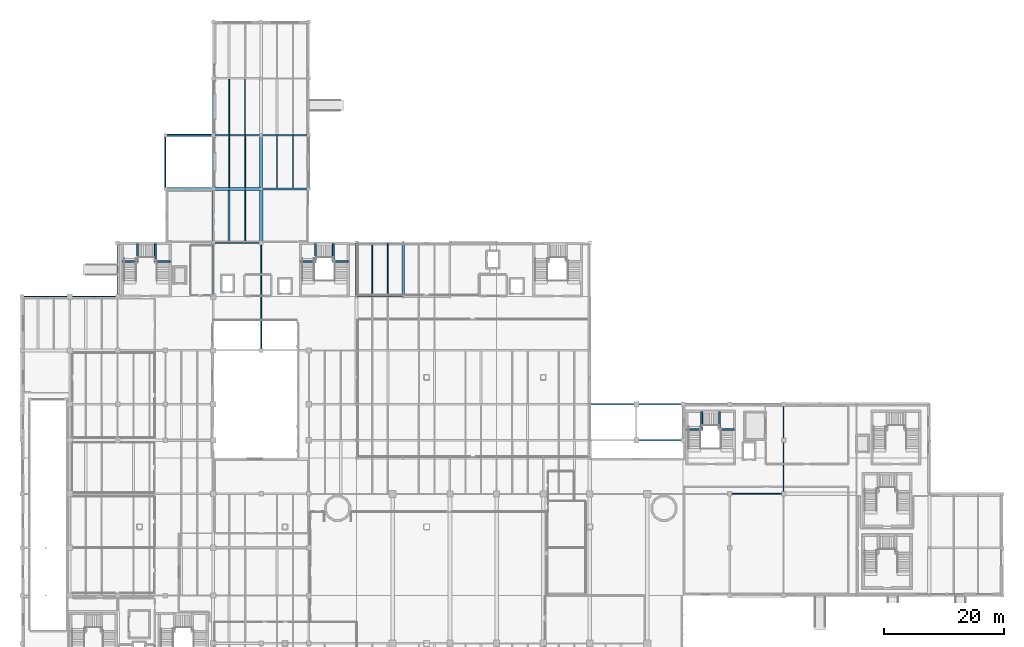
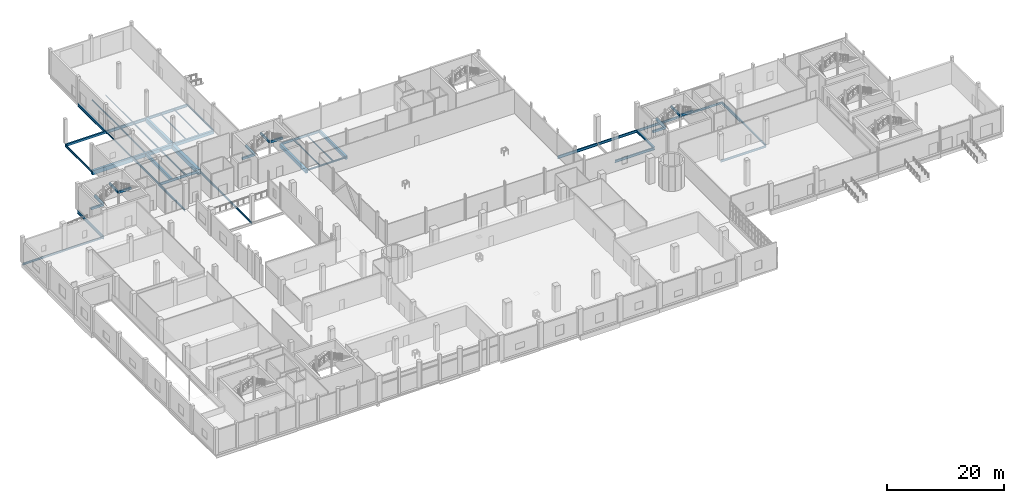
# One storey, part 27 of 57: 54 beams.
"""IFC4 building model written with IfcOpenShell, lengths in metres."""

from ifc_helpers import new_model, si_unit, derived_unit, direction, frame, origin, origin_2d, place, context, subcontext, project, spatial, rectangle, i_section, extrude, material, material_profile, profile_set, type_object, element, save


model = new_model("IFC4")

# Units and contexts
model_context = context("Model", 3, precision=1e-05, world=origin(), true_north=direction((0.0, 1.0)))
body_context = subcontext(model_context, "Body", "Model", "MODEL_VIEW")
ifc_project = project(units=[si_unit("LENGTHUNIT", "METRE"), si_unit("AREAUNIT", "SQUARE_METRE"), si_unit("VOLUMEUNIT", "CUBIC_METRE"), si_unit("PLANEANGLEUNIT", "RADIAN"), si_unit("MASSUNIT", "GRAM", prefix="KILO"), derived_unit("THERMALTRANSMITTANCEUNIT", [(si_unit("POWERUNIT", "WATT"), 1), (si_unit("LENGTHUNIT", "METRE"), -2), (si_unit("THERMODYNAMICTEMPERATUREUNIT", "KELVIN"), -1)])], contexts=[model_context])

# Site, building, storey
site_placement = place(None, origin())
site = spatial("IfcSite", under=ifc_project, at=site_placement, CompositionType="ELEMENT")
building_placement = place(site_placement, origin())
building = spatial("IfcBuilding", under=site, at=building_placement, Name="Nallur Shell Playhouse", CompositionType="ELEMENT")
storey_placement = place(building_placement, origin())
storey = spatial("IfcBuildingStorey", under=building, at=storey_placement, Name="L01", CompositionType="ELEMENT", Elevation=0.0)

# Beams
ifc_material_1 = material(Name="Steel E250", Category="steel")
ifc_material_profile_1 = material_profile(ifc_material_1, i_section(OverallWidth=0.110107421875, OverallDepth=0.22509765625, WebThickness=0.006591796875, FlangeThickness=0.01171875, FilletRadius=0.011962890625, at=origin_2d()), Name="ISMB 225")
ifc_profile_set_1 = profile_set([ifc_material_profile_1], Name="Steel E250")
beam_type_1 = type_object("IfcBeamType", Name="BM-JST-ISMB225", PredefinedType="JOIST", material=ifc_profile_set_1)
beam_1_placement = place(storey_placement, frame((45.333251953125, 101.123046875, -0.4326171875), z_axis=(0.0, 1.0, 0.0), x_axis=(-1.0, 0.0, 0.0)))
element("IfcBeam", 1, at=beam_1_placement, inside=storey, type_object=beam_type_1, Name="L01 secondary joist 5-M-233", PredefinedType="JOIST", context=body_context, shape_type="SweptSolid", body=[
    extrude(i_section(OverallWidth=0.110107421875, OverallDepth=0.22509765625, WebThickness=0.006591796875, FlangeThickness=0.01171875, FilletRadius=0.011962890625, at=origin_2d()), origin(), (0.0, 0.0, 1.0), 9.25390625),
])
beam_2_placement = place(storey_placement, frame((53.333251953125, 92.197998046875, -0.4326171875), z_axis=(0.0, 1.0, 0.0), x_axis=(-1.0, 0.0, 0.0)))
element("IfcBeam", 2, at=beam_2_placement, inside=storey, type_object=beam_type_1, Name="L01 secondary joist 6-L-245", PredefinedType="JOIST", context=body_context, shape_type="SweptSolid", body=[
    extrude(i_section(OverallWidth=0.110107421875, OverallDepth=0.22509765625, WebThickness=0.006591796875, FlangeThickness=0.01171875, FilletRadius=0.011962890625, at=origin_2d()), origin(), (0.0, 0.0, 1.0), 8.678955078125),
])
ifc_material_profile_2 = material_profile(ifc_material_1, i_section(OverallWidth=0.125, OverallDepth=0.25, WebThickness=0.0068359375, FlangeThickness=0.012451171875, FilletRadius=0.012939453125, at=origin_2d()), Name="ISMB 250")
ifc_profile_set_2 = profile_set([ifc_material_profile_2], Name="Steel E250")
beam_type_2 = type_object("IfcBeamType", Name="BM-JST-ISMB250", PredefinedType="JOIST", material=ifc_profile_set_2)
beam_3_placement = place(storey_placement, frame((42.666748046875, 101.123046875, -0.445068359375), z_axis=(0.0, 1.0, 0.0), x_axis=(-1.0, 0.0, 0.0)))
element("IfcBeam", 3, at=beam_3_placement, inside=storey, type_object=beam_type_2, Name="L01 secondary joist 5-M-232", PredefinedType="JOIST", context=body_context, shape_type="SweptSolid", body=[
    extrude(i_section(OverallWidth=0.125, OverallDepth=0.25, WebThickness=0.0068359375, FlangeThickness=0.012451171875, FilletRadius=0.012939453125, at=origin_2d()), origin(), (0.0, 0.0, 1.0), 9.25390625),
])
beam_4_placement = place(storey_placement, frame((50.666748046875, 92.197998046875, -0.445068359375), z_axis=(0.0, 1.0, 0.0), x_axis=(-1.0, 0.0, 0.0)))
element("IfcBeam", 4, at=beam_4_placement, inside=storey, type_object=beam_type_2, Name="L01 secondary joist 6-L-244", PredefinedType="JOIST", context=body_context, shape_type="SweptSolid", body=[
    extrude(i_section(OverallWidth=0.125, OverallDepth=0.25, WebThickness=0.0068359375, FlangeThickness=0.012451171875, FilletRadius=0.012939453125, at=origin_2d()), origin(), (0.0, 0.0, 1.0), 8.678955078125),
])
beam_5_placement = place(storey_placement, frame((69.199951171875, 74.097900390625, -0.52490234375), z_axis=(0.0, 1.0, 0.0), x_axis=(-1.0, 0.0, 0.0)))
element("IfcBeam", 5, at=beam_5_placement, inside=storey, type_object=beam_type_2, Name="L01 secondary joist 8-J-268", PredefinedType="JOIST", context=body_context, shape_type="SweptSolid", body=[
    extrude(i_section(OverallWidth=0.125, OverallDepth=0.25, WebThickness=0.0068359375, FlangeThickness=0.012451171875, FilletRadius=0.012939453125, at=origin_2d()), origin(), (0.0, 0.0, 1.0), 8.814208984375),
])
ifc_material_profile_3 = material_profile(ifc_material_1, i_section(OverallWidth=0.139892578125, OverallDepth=0.300048828125, WebThickness=0.0078125, FlangeThickness=0.01318359375, FilletRadius=0.013916015625, at=origin_2d()), Name="ISMB 300")
ifc_profile_set_3 = profile_set([ifc_material_profile_3], Name="Steel E250")
beam_type_3 = type_object("IfcBeamType", Name="BM-JST-ISMB300", PredefinedType="JOIST", material=ifc_profile_set_3)
beam_6_placement = place(storey_placement, frame((45.333251953125, 92.222900390625, -0.469970703125), z_axis=(0.0, 1.0, 0.0), x_axis=(-1.0, 0.0, 0.0)))
element("IfcBeam", 6, at=beam_6_placement, inside=storey, type_object=beam_type_3, Name="L01 secondary joist 5-L-231", PredefinedType="JOIST", context=body_context, shape_type="SweptSolid", body=[
    extrude(i_section(OverallWidth=0.139892578125, OverallDepth=0.300048828125, WebThickness=0.0078125, FlangeThickness=0.01318359375, FilletRadius=0.013916015625, at=origin_2d()), origin(), (0.0, 0.0, 1.0), 8.654052734375),
])
beam_7_placement = place(storey_placement, frame((66.60009765625, 74.097900390625, -0.550048828125), z_axis=(0.0, 1.0, 0.0), x_axis=(-1.0, 0.0, 0.0)))
element("IfcBeam", 7, at=beam_7_placement, inside=storey, type_object=beam_type_3, Name="L01 secondary joist 8-J-267", PredefinedType="JOIST", context=body_context, shape_type="SweptSolid", body=[
    extrude(i_section(OverallWidth=0.139892578125, OverallDepth=0.300048828125, WebThickness=0.0078125, FlangeThickness=0.01318359375, FilletRadius=0.013916015625, at=origin_2d()), origin(), (0.0, 0.0, 1.0), 8.814208984375),
])
ifc_material_profile_4 = material_profile(ifc_material_1, i_section(OverallWidth=0.139892578125, OverallDepth=0.35009765625, WebThickness=0.008056640625, FlangeThickness=0.01416015625, FilletRadius=0.013916015625, at=origin_2d()), Name="ISMB 350")
ifc_profile_set_4 = profile_set([ifc_material_profile_4], Name="Steel E250")
beam_type_4 = type_object("IfcBeamType", Name="BM-JST-ISMB350", PredefinedType="JOIST", material=ifc_profile_set_4)
beam_8_placement = place(storey_placement, frame((42.666748046875, 92.222900390625, -0.4951171875), z_axis=(0.0, 1.0, 0.0), x_axis=(-1.0, 0.0, 0.0)))
element("IfcBeam", 8, at=beam_8_placement, inside=storey, type_object=beam_type_4, Name="L01 secondary joist 5-L-230", PredefinedType="JOIST", context=body_context, shape_type="SweptSolid", body=[
    extrude(i_section(OverallWidth=0.139892578125, OverallDepth=0.35009765625, WebThickness=0.008056640625, FlangeThickness=0.01416015625, FilletRadius=0.013916015625, at=origin_2d()), origin(), (0.0, 0.0, 1.0), 8.654052734375),
])
ifc_material_profile_5 = material_profile(ifc_material_1, i_section(OverallWidth=0.139892578125, OverallDepth=0.39990234375, WebThickness=0.0087890625, FlangeThickness=0.01611328125, FilletRadius=0.013916015625, at=origin_2d()), Name="ISMB 400")
ifc_profile_set_5 = profile_set([ifc_material_profile_5], Name="Steel E250")
beam_type_5 = type_object("IfcBeamType", Name="BM-JST-ISMB400", PredefinedType="JOIST", material=ifc_profile_set_5)
beam_9_placement = place(storey_placement, frame((45.333251953125, 83.093017578125, -0.52001953125), z_axis=(0.0, 1.0, 0.0), x_axis=(-1.0, 0.0, 0.0)))
element("IfcBeam", 9, at=beam_9_placement, inside=storey, type_object=beam_type_5, Name="L01 secondary joist 5-K-229", PredefinedType="JOIST", context=body_context, shape_type="SweptSolid", body=[
    extrude(i_section(OverallWidth=0.139892578125, OverallDepth=0.39990234375, WebThickness=0.0087890625, FlangeThickness=0.01611328125, FilletRadius=0.013916015625, at=origin_2d()), origin(), (0.0, 0.0, 1.0), 8.68408203125),
])
ifc_material_2 = material(Name="Concrete M30", Category="concrete")
ifc_material_profile_6 = material_profile(ifc_material_2, rectangle(XDim=0.35009765625, YDim=0.60009765625, at=origin_2d()), Name="RC 350x600")
ifc_profile_set_6 = profile_set([ifc_material_profile_6], Name="Concrete M30")
beam_type_6 = type_object("IfcBeamType", Name="BM-RC-350x600", PredefinedType="JOIST", material=ifc_profile_set_6)
beam_10_placement = place(storey_placement, frame((42.666748046875, 83.093017578125, -0.6201171875), z_axis=(0.0, 1.0, 0.0), x_axis=(-1.0, 0.0, 0.0)))
element("IfcBeam", 10, at=beam_10_placement, inside=storey, type_object=beam_type_6, Name="L01 secondary joist 5-K-228", PredefinedType="JOIST", context=body_context, shape_type="SweptSolid", body=[
    extrude(rectangle(XDim=0.35009765625, YDim=0.60009765625, at=origin_2d()), origin(), (0.0, 0.0, 1.0), 8.68408203125),
])
ifc_material_3 = material(Name="Concrete M35", Category="concrete")
ifc_material_profile_7 = material_profile(ifc_material_3, rectangle(XDim=0.39990234375, YDim=0.64990234375, at=origin_2d()), Name="RC 400x650")
ifc_profile_set_7 = profile_set([ifc_material_profile_7], Name="Concrete M35")
beam_type_7 = type_object("IfcBeamType", Name="BM-RC-400x650", PredefinedType="BEAM", material=ifc_profile_set_7)
beam_11_placement = place(storey_placement, frame((48.0, 92.0, -0.64501953125), z_axis=(1.0, 0.0, 0.0), x_axis=(0.0, 1.0, 0.0)))
element("IfcBeam", 11, at=beam_11_placement, inside=storey, type_object=beam_type_7, Name="L01 girder X-L-79", PredefinedType="BEAM", context=body_context, shape_type="SweptSolid", body=[
    extrude(rectangle(XDim=0.39990234375, YDim=0.64990234375, at=origin_2d()), origin(), (0.0, 0.0, 1.0), 8.0),
])
beam_12_placement = place(storey_placement, frame((71.800048828125, 74.0, -0.72509765625), z_axis=(0.0, 1.0, 0.0), x_axis=(-1.0, 0.0, 0.0)))
element("IfcBeam", 12, at=beam_12_placement, inside=storey, type_object=beam_type_7, Name="L01 girder Y-9-143", PredefinedType="BEAM", context=body_context, shape_type="SweptSolid", body=[
    extrude(rectangle(XDim=0.39990234375, YDim=0.64990234375, at=origin_2d()), origin(), (0.0, 0.0, 1.0), 9.0),
])
ifc_material_profile_8 = material_profile(ifc_material_3, rectangle(XDim=0.449951171875, YDim=0.75, at=origin_2d()), Name="RC 450x750")
ifc_profile_set_8 = profile_set([ifc_material_profile_8], Name="Concrete M35")
beam_type_8 = type_object("IfcBeamType", Name="BM-RC-450x750", PredefinedType="BEAM", material=ifc_profile_set_8)
beam_13_placement = place(storey_placement, frame((40.0, 92.0, -0.695068359375), z_axis=(1.0, 0.0, 0.0), x_axis=(0.0, 1.0, 0.0)))
element("IfcBeam", 13, at=beam_13_placement, inside=storey, type_object=beam_type_8, Name="L01 girder X-L-78", PredefinedType="BEAM", context=body_context, shape_type="SweptSolid", body=[
    extrude(rectangle(XDim=0.449951171875, YDim=0.75, at=origin_2d()), origin(), (0.0, 0.0, 1.0), 8.0),
])
beam_14_placement = place(storey_placement, frame((64.0, 74.0, -0.77490234375), z_axis=(0.0, 1.0, 0.0), x_axis=(-1.0, 0.0, 0.0)))
element("IfcBeam", 14, at=beam_14_placement, inside=storey, type_object=beam_type_8, Name="L01 girder Y-8-142", PredefinedType="BEAM", context=body_context, shape_type="SweptSolid", body=[
    extrude(rectangle(XDim=0.449951171875, YDim=0.75, at=origin_2d()), origin(), (0.0, 0.0, 1.0), 9.0),
])
ifc_material_4 = material(Name="Concrete M40", Category="concrete")
ifc_material_profile_9 = material_profile(ifc_material_4, rectangle(XDim=0.5, YDim=0.85009765625, at=origin_2d()), Name="RC 500x850")
ifc_profile_set_9 = profile_set([ifc_material_profile_9], Name="Concrete M40")
beam_type_9 = type_object("IfcBeamType", Name="BM-RC-500x850", PredefinedType="BEAM", material=ifc_profile_set_9)
beam_15_placement = place(storey_placement, frame((32.0, 92.0, -0.7451171875), z_axis=(1.0, 0.0, 0.0), x_axis=(0.0, 1.0, 0.0)))
element("IfcBeam", 15, at=beam_15_placement, inside=storey, type_object=beam_type_9, Name="L01 girder X-L-77", PredefinedType="BEAM", context=body_context, shape_type="SweptSolid", body=[
    extrude(rectangle(XDim=0.5, YDim=0.85009765625, at=origin_2d()), origin(), (0.0, 0.0, 1.0), 8.0),
])
beam_16_placement = place(storey_placement, frame((48.0, 92.0, -0.7451171875), z_axis=(0.0, 1.0, 0.0), x_axis=(-1.0, 0.0, 0.0)))
element("IfcBeam", 16, at=beam_16_placement, inside=storey, type_object=beam_type_9, Name="L01 girder Y-6-125", PredefinedType="BEAM", context=body_context, shape_type="SweptSolid", body=[
    extrude(rectangle(XDim=0.5, YDim=0.85009765625, at=origin_2d()), origin(), (0.0, 0.0, 1.0), 9.0),
])
ifc_material_profile_10 = material_profile(ifc_material_4, rectangle(XDim=0.60009765625, YDim=1.0, at=origin_2d()), Name="RC 600x1000")
ifc_profile_set_10 = profile_set([ifc_material_profile_10], Name="Concrete M40")
beam_type_10 = type_object("IfcBeamType", Name="BM-RC-600x1000", PredefinedType="BEAM", material=ifc_profile_set_10)
beam_17_placement = place(storey_placement, frame((48.0, 83.0, -0.820068359375), z_axis=(0.0, 1.0, 0.0), x_axis=(-1.0, 0.0, 0.0)))
element("IfcBeam", 17, at=beam_17_placement, inside=storey, type_object=beam_type_10, Name="L01 girder Y-6-124", PredefinedType="BEAM", context=body_context, shape_type="SweptSolid", body=[
    extrude(rectangle(XDim=0.60009765625, YDim=1.0, at=origin_2d()), origin(), (0.0, 0.0, 1.0), 9.0),
])
ifc_material_profile_11 = material_profile(ifc_material_3, rectangle(XDim=0.300048828125, YDim=0.449951171875, at=origin_2d()), Name="RC 300x450")
ifc_profile_set_11 = profile_set([ifc_material_profile_11], Name="Concrete M35")
beam_type_11 = type_object("IfcBeamType", Name="BM-SPN-300x450", PredefinedType="SPANDREL", material=ifc_profile_set_11)
beam_18_placement = place(storey_placement, frame((32.0, 101.0, -0.544921875), z_axis=(1.0, 0.0, 0.0), x_axis=(0.0, 1.0, 0.0)))
element("IfcBeam", 18, at=beam_18_placement, inside=storey, type_object=beam_type_11, Name="L01 girder X-M-80", PredefinedType="SPANDREL", context=body_context, shape_type="SweptSolid", body=[
    extrude(rectangle(XDim=0.300048828125, YDim=0.449951171875, at=origin_2d()), origin(), (0.0, 0.0, 1.0), 8.0),
])
beam_19_placement = place(storey_placement, frame((119.219970703125, 51.780029296875, 1.580810546875), z_axis=(1.0, 0.0, 0.0), x_axis=(0.0, 1.0, 0.0)))
element("IfcBeam", 19, at=beam_19_placement, inside=storey, type_object=beam_type_11, Name="Stair ST-02-L01 L1 south bearer beam", PredefinedType="SPANDREL", context=body_context, shape_type="SweptSolid", body=[
    extrude(rectangle(XDim=0.300048828125, YDim=0.449951171875, at=origin_2d()), origin(), (0.0, 0.0, 1.0), 2.56005859375),
])
beam_20_placement = place(storey_placement, frame((121.719970703125, 51.780029296875, 1.580810546875), z_axis=(0.0, 1.0, 0.0), x_axis=(-1.0, 0.0, 0.0)))
element("IfcBeam", 20, at=beam_20_placement, inside=storey, type_object=beam_type_11, Name="Stair ST-02-L01 L1 east bearer beam", PredefinedType="SPANDREL", context=body_context, shape_type="SweptSolid", body=[
    extrude(rectangle(XDim=0.300048828125, YDim=0.449951171875, at=origin_2d()), origin(), (0.0, 0.0, 1.0), 3.0),
])
beam_21_placement = place(storey_placement, frame((124.6201171875, 51.780029296875, 3.12353515625), z_axis=(1.0, 0.0, 0.0), x_axis=(0.0, 1.0, 0.0)))
element("IfcBeam", 21, at=beam_21_placement, inside=storey, type_object=beam_type_11, Name="Stair ST-02-L01 L2 south bearer beam", PredefinedType="SPANDREL", context=body_context, shape_type="SweptSolid", body=[
    extrude(rectangle(XDim=0.300048828125, YDim=0.449951171875, at=origin_2d()), origin(), (0.0, 0.0, 1.0), 2.559814453125),
])
beam_22_placement = place(storey_placement, frame((124.679931640625, 51.780029296875, 3.12353515625), z_axis=(0.0, 1.0, 0.0), x_axis=(-1.0, 0.0, 0.0)))
element("IfcBeam", 22, at=beam_22_placement, inside=storey, type_object=beam_type_11, Name="Stair ST-02-L01 L2 west bearer beam", PredefinedType="SPANDREL", context=body_context, shape_type="SweptSolid", body=[
    extrude(rectangle(XDim=0.300048828125, YDim=0.449951171875, at=origin_2d()), origin(), (0.0, 0.0, 1.0), 3.0),
])
beam_23_placement = place(storey_placement, frame((54.6201171875, 79.8798828125, 1.580810546875), z_axis=(1.0, 0.0, 0.0), x_axis=(0.0, 1.0, 0.0)))
element("IfcBeam", 23, at=beam_23_placement, inside=storey, type_object=beam_type_11, Name="Stair ST-03-L01 L1 south bearer beam", PredefinedType="SPANDREL", context=body_context, shape_type="SweptSolid", body=[
    extrude(rectangle(XDim=0.300048828125, YDim=0.449951171875, at=origin_2d()), origin(), (0.0, 0.0, 1.0), 2.559814453125),
])
beam_24_placement = place(storey_placement, frame((57.1201171875, 79.8798828125, 1.580810546875), z_axis=(0.0, 1.0, 0.0), x_axis=(-1.0, 0.0, 0.0)))
element("IfcBeam", 24, at=beam_24_placement, inside=storey, type_object=beam_type_11, Name="Stair ST-03-L01 L1 east bearer beam", PredefinedType="SPANDREL", context=body_context, shape_type="SweptSolid", body=[
    extrude(rectangle(XDim=0.300048828125, YDim=0.449951171875, at=origin_2d()), origin(), (0.0, 0.0, 1.0), 3.0),
])
beam_25_placement = place(storey_placement, frame((60.02001953125, 79.8798828125, 3.12353515625), z_axis=(1.0, 0.0, 0.0), x_axis=(0.0, 1.0, 0.0)))
element("IfcBeam", 25, at=beam_25_placement, inside=storey, type_object=beam_type_11, Name="Stair ST-03-L01 L2 south bearer beam", PredefinedType="SPANDREL", context=body_context, shape_type="SweptSolid", body=[
    extrude(rectangle(XDim=0.300048828125, YDim=0.449951171875, at=origin_2d()), origin(), (0.0, 0.0, 1.0), 2.56005859375),
])
beam_26_placement = place(storey_placement, frame((60.080078125, 79.8798828125, 3.12353515625), z_axis=(0.0, 1.0, 0.0), x_axis=(-1.0, 0.0, 0.0)))
element("IfcBeam", 26, at=beam_26_placement, inside=storey, type_object=beam_type_11, Name="Stair ST-03-L01 L2 west bearer beam", PredefinedType="SPANDREL", context=body_context, shape_type="SweptSolid", body=[
    extrude(rectangle(XDim=0.300048828125, YDim=0.449951171875, at=origin_2d()), origin(), (0.0, 0.0, 1.0), 3.0),
])
beam_27_placement = place(storey_placement, frame((24.820068359375, 79.8798828125, 1.580810546875), z_axis=(1.0, 0.0, 0.0), x_axis=(0.0, 1.0, 0.0)))
element("IfcBeam", 27, at=beam_27_placement, inside=storey, type_object=beam_type_11, Name="Stair ST-06-L01 L1 south bearer beam", PredefinedType="SPANDREL", context=body_context, shape_type="SweptSolid", body=[
    extrude(rectangle(XDim=0.300048828125, YDim=0.449951171875, at=origin_2d()), origin(), (0.0, 0.0, 1.0), 2.559814453125),
])
beam_28_placement = place(storey_placement, frame((27.320068359375, 79.8798828125, 1.580810546875), z_axis=(0.0, 1.0, 0.0), x_axis=(-1.0, 0.0, 0.0)))
element("IfcBeam", 28, at=beam_28_placement, inside=storey, type_object=beam_type_11, Name="Stair ST-06-L01 L1 east bearer beam", PredefinedType="SPANDREL", context=body_context, shape_type="SweptSolid", body=[
    extrude(rectangle(XDim=0.300048828125, YDim=0.449951171875, at=origin_2d()), origin(), (0.0, 0.0, 1.0), 3.0),
])
beam_29_placement = place(storey_placement, frame((30.219970703125, 79.8798828125, 3.12353515625), z_axis=(1.0, 0.0, 0.0), x_axis=(0.0, 1.0, 0.0)))
element("IfcBeam", 29, at=beam_29_placement, inside=storey, type_object=beam_type_11, Name="Stair ST-06-L01 L2 south bearer beam", PredefinedType="SPANDREL", context=body_context, shape_type="SweptSolid", body=[
    extrude(rectangle(XDim=0.300048828125, YDim=0.449951171875, at=origin_2d()), origin(), (0.0, 0.0, 1.0), 2.56005859375),
])
beam_30_placement = place(storey_placement, frame((30.280029296875, 79.8798828125, 3.12353515625), z_axis=(0.0, 1.0, 0.0), x_axis=(-1.0, 0.0, 0.0)))
element("IfcBeam", 30, at=beam_30_placement, inside=storey, type_object=beam_type_11, Name="Stair ST-06-L01 L2 west bearer beam", PredefinedType="SPANDREL", context=body_context, shape_type="SweptSolid", body=[
    extrude(rectangle(XDim=0.300048828125, YDim=0.449951171875, at=origin_2d()), origin(), (0.0, 0.0, 1.0), 3.0),
])
ifc_material_5 = material(Name="Steel E350", Category="steel")
ifc_material_profile_12 = material_profile(ifc_material_5, i_section(OverallWidth=0.14990234375, OverallDepth=0.449951171875, WebThickness=0.009521484375, FlangeThickness=0.017333984375, FilletRadius=0.014892578125, at=origin_2d()), Name="ISMB 450")
ifc_profile_set_12 = profile_set([ifc_material_profile_12], Name="Steel E350")
beam_type_12 = type_object("IfcBeamType", Name="BM-ST-ISMB450", PredefinedType="BEAM", material=ifc_profile_set_12)
for number, where, z_axis, x_axis, name in (
    (31, (126.39990234375, 41.0, -0.544921875), (1.0, 0.0, 0.0), (0.0, 1.0, 0.0), "L01 girder X-E-43"),
    (32, (126.39990234375, 56.0, -0.544921875), (1.0, 0.0, 0.0), (0.0, 1.0, 0.0), "L01 girder X-G-59"),
    (33, (32.0, 92.0, -0.544921875), (0.0, 1.0, 0.0), (-1.0, 0.0, 0.0), "L01 girder Y-4-107"),
):
    element("IfcBeam", number, at=place(storey_placement, frame(where, z_axis=z_axis, x_axis=x_axis)), inside=storey, type_object=beam_type_12, Name=name, PredefinedType="BEAM", context=body_context, shape_type="SweptSolid", body=[
        extrude(i_section(OverallWidth=0.14990234375, OverallDepth=0.449951171875, WebThickness=0.009521484375, FlangeThickness=0.017333984375, FilletRadius=0.014892578125, at=origin_2d()), origin(), (0.0, 0.0, 1.0), 9.0),
    ])
beam_31_placement = place(storey_placement, frame((48.0, 65.0, -0.544921875), z_axis=(0.0, 1.0, 0.0), x_axis=(-1.0, 0.0, 0.0)))
element("IfcBeam", 34, at=beam_31_placement, inside=storey, type_object=beam_type_12, Name="L01 girder Y-6-123", PredefinedType="BEAM", context=body_context, shape_type="SweptSolid", body=[
    extrude(i_section(OverallWidth=0.14990234375, OverallDepth=0.449951171875, WebThickness=0.009521484375, FlangeThickness=0.017333984375, FilletRadius=0.014892578125, at=origin_2d()), origin(), (0.0, 0.0, 1.0), 18.0),
])
ifc_material_profile_13 = material_profile(ifc_material_5, i_section(OverallWidth=0.179931640625, OverallDepth=0.5, WebThickness=0.01025390625, FlangeThickness=0.01708984375, FilletRadius=0.01708984375, at=origin_2d()), Name="ISMB 500")
ifc_profile_set_13 = profile_set([ifc_material_profile_13], Name="Steel E350")
beam_type_13 = type_object("IfcBeamType", Name="BM-ST-ISMB500", PredefinedType="BEAM", material=ifc_profile_set_13)
beam_32_placement = place(storey_placement, frame((118.60009765625, 56.0, -0.570068359375), z_axis=(1.0, 0.0, 0.0), x_axis=(0.0, 1.0, 0.0)))
element("IfcBeam", 35, at=beam_32_placement, inside=storey, type_object=beam_type_13, Name="L01 girder X-G-58", PredefinedType="BEAM", context=body_context, shape_type="SweptSolid", body=[
    extrude(i_section(OverallWidth=0.179931640625, OverallDepth=0.5, WebThickness=0.01025390625, FlangeThickness=0.01708984375, FilletRadius=0.01708984375, at=origin_2d()), origin(), (0.0, 0.0, 1.0), 7.7998046875),
])
beam_33_placement = place(storey_placement, frame((64.0, 83.0, -0.570068359375), z_axis=(1.0, 0.0, 0.0), x_axis=(0.0, 1.0, 0.0)))
element("IfcBeam", 36, at=beam_33_placement, inside=storey, type_object=beam_type_13, Name="L01 girder X-K-74", PredefinedType="BEAM", context=body_context, shape_type="SweptSolid", body=[
    extrude(i_section(OverallWidth=0.179931640625, OverallDepth=0.5, WebThickness=0.01025390625, FlangeThickness=0.01708984375, FilletRadius=0.01708984375, at=origin_2d()), origin(), (0.0, 0.0, 1.0), 7.800048828125),
])
ifc_material_profile_14 = material_profile(ifc_material_5, i_section(OverallWidth=0.18994140625, OverallDepth=0.550048828125, WebThickness=0.01123046875, FlangeThickness=0.019287109375, FilletRadius=0.01806640625, at=origin_2d()), Name="ISMB 550")
ifc_profile_set_14 = profile_set([ifc_material_profile_14], Name="Steel E350")
beam_type_14 = type_object("IfcBeamType", Name="BM-ST-ISMB550", PredefinedType="BEAM", material=ifc_profile_set_14)
beam_34_placement = place(storey_placement, frame((110.800048828125, 56.0, -0.594970703125), z_axis=(1.0, 0.0, 0.0), x_axis=(0.0, 1.0, 0.0)))
element("IfcBeam", 37, at=beam_34_placement, inside=storey, type_object=beam_type_14, Name="L01 girder X-G-57", PredefinedType="BEAM", context=body_context, shape_type="SweptSolid", body=[
    extrude(i_section(OverallWidth=0.18994140625, OverallDepth=0.550048828125, WebThickness=0.01123046875, FlangeThickness=0.019287109375, FilletRadius=0.01806640625, at=origin_2d()), origin(), (0.0, 0.0, 1.0), 7.800048828125),
])
beam_35_placement = place(storey_placement, frame((40.0, 83.0, -0.594970703125), z_axis=(1.0, 0.0, 0.0), x_axis=(0.0, 1.0, 0.0)))
element("IfcBeam", 38, at=beam_35_placement, inside=storey, type_object=beam_type_14, Name="L01 girder X-K-73", PredefinedType="BEAM", context=body_context, shape_type="SweptSolid", body=[
    extrude(i_section(OverallWidth=0.18994140625, OverallDepth=0.550048828125, WebThickness=0.01123046875, FlangeThickness=0.019287109375, FilletRadius=0.01806640625, at=origin_2d()), origin(), (0.0, 0.0, 1.0), 8.0),
])
ifc_material_profile_15 = material_profile(ifc_material_5, i_section(OverallWidth=0.2099609375, OverallDepth=0.60009765625, WebThickness=0.011962890625, FlangeThickness=0.020751953125, FilletRadius=0.02001953125, at=origin_2d()), Name="ISMB 600")
ifc_profile_set_15 = profile_set([ifc_material_profile_15], Name="Steel E350")
beam_type_15 = type_object("IfcBeamType", Name="BM-ST-ISMB600", PredefinedType="BEAM", material=ifc_profile_set_15)
beam_36_placement = place(storey_placement, frame((103.0, 56.0, -0.6201171875), z_axis=(1.0, 0.0, 0.0), x_axis=(0.0, 1.0, 0.0)))
element("IfcBeam", 39, at=beam_36_placement, inside=storey, type_object=beam_type_15, Name="L01 girder X-G-56", PredefinedType="BEAM", context=body_context, shape_type="SweptSolid", body=[
    extrude(i_section(OverallWidth=0.2099609375, OverallDepth=0.60009765625, WebThickness=0.011962890625, FlangeThickness=0.020751953125, FilletRadius=0.02001953125, at=origin_2d()), origin(), (0.0, 0.0, 1.0), 7.800048828125),
])
beam_37_placement = place(storey_placement, frame((24.0, 74.0, -0.6201171875), z_axis=(0.0, 1.0, 0.0), x_axis=(-1.0, 0.0, 0.0)))
element("IfcBeam", 40, at=beam_37_placement, inside=storey, type_object=beam_type_15, Name="L01 girder Y-3-104", PredefinedType="BEAM", context=body_context, shape_type="SweptSolid", body=[
    extrude(i_section(OverallWidth=0.2099609375, OverallDepth=0.60009765625, WebThickness=0.011962890625, FlangeThickness=0.020751953125, FilletRadius=0.02001953125, at=origin_2d()), origin(), (0.0, 0.0, 1.0), 9.0),
])
beam_38_placement = place(storey_placement, frame((40.0, 101.0, -0.6201171875), z_axis=(0.0, 1.0, 0.0), x_axis=(-1.0, 0.0, 0.0)))
element("IfcBeam", 41, at=beam_38_placement, inside=storey, type_object=beam_type_15, Name="L01 girder Y-5-120", PredefinedType="BEAM", context=body_context, shape_type="SweptSolid", body=[
    extrude(i_section(OverallWidth=0.2099609375, OverallDepth=0.60009765625, WebThickness=0.011962890625, FlangeThickness=0.020751953125, FilletRadius=0.02001953125, at=origin_2d()), origin(), (0.0, 0.0, 1.0), 9.5),
])
beam_39_placement = place(storey_placement, frame((135.39990234375, 50.0, -0.6201171875), z_axis=(0.0, 1.0, 0.0), x_axis=(-1.0, 0.0, 0.0)))
element("IfcBeam", 42, at=beam_39_placement, inside=storey, type_object=beam_type_15, Name="L01 girder Y-17-168", PredefinedType="BEAM", context=body_context, shape_type="SweptSolid", body=[
    extrude(i_section(OverallWidth=0.2099609375, OverallDepth=0.60009765625, WebThickness=0.011962890625, FlangeThickness=0.020751953125, FilletRadius=0.02001953125, at=origin_2d()), origin(), (0.0, 0.0, 1.0), 6.0),
])
ifc_material_profile_16 = material_profile(ifc_material_1, i_section(OverallWidth=0.199951171875, OverallDepth=0.300048828125, WebThickness=0.00732421875, FlangeThickness=0.010009765625, FilletRadius=0.010986328125, at=origin_2d()), Name="ISWB 300")
ifc_profile_set_16 = profile_set([ifc_material_profile_16], Name="Steel E250")
beam_type_16 = type_object("IfcBeamType", Name="BM-ST-ISWB300", PredefinedType="BEAM", material=ifc_profile_set_16)
beam_40_placement = place(storey_placement, frame((64.0, 74.0, -0.550048828125), z_axis=(1.0, 0.0, 0.0), x_axis=(0.0, 1.0, 0.0)))
element("IfcBeam", 43, at=beam_40_placement, inside=storey, type_object=beam_type_16, Name="L01 girder X-J-71", PredefinedType="BEAM", context=body_context, shape_type="SweptSolid", body=[
    extrude(i_section(OverallWidth=0.199951171875, OverallDepth=0.300048828125, WebThickness=0.00732421875, FlangeThickness=0.010009765625, FilletRadius=0.010986328125, at=origin_2d()), origin(), (0.0, 0.0, 1.0), 7.800048828125),
])
for number, where, z_axis, x_axis, name in (
    (44, (40.0, 92.0, -0.469970703125), (0.0, 1.0, 0.0), (-1.0, 0.0, 0.0), "L01 girder Y-5-119"),
    (45, (56.0, 92.0, -0.469970703125), (0.0, 1.0, 0.0), (-1.0, 0.0, 0.0), "L01 girder Y-7-135"),
    (46, (135.39990234375, 41.0, -0.469970703125), (0.0, 1.0, 0.0), (-1.0, 0.0, 0.0), "L01 girder Y-17-167"),
):
    element("IfcBeam", number, at=place(storey_placement, frame(where, z_axis=z_axis, x_axis=x_axis)), inside=storey, type_object=beam_type_16, Name=name, PredefinedType="BEAM", context=body_context, shape_type="SweptSolid", body=[
        extrude(i_section(OverallWidth=0.199951171875, OverallDepth=0.300048828125, WebThickness=0.00732421875, FlangeThickness=0.010009765625, FilletRadius=0.010986328125, at=origin_2d()), origin(), (0.0, 0.0, 1.0), 9.0),
    ])
ifc_material_profile_17 = material_profile(ifc_material_5, i_section(OverallWidth=0.199951171875, OverallDepth=0.35009765625, WebThickness=0.008056640625, FlangeThickness=0.011474609375, FilletRadius=0.011962890625, at=origin_2d()), Name="ISWB 350")
ifc_profile_set_17 = profile_set([ifc_material_profile_17], Name="Steel E350")
beam_type_17 = type_object("IfcBeamType", Name="BM-ST-ISWB350", PredefinedType="BEAM", material=ifc_profile_set_17)
beam_41_placement = place(storey_placement, frame((16.0, 74.0, -0.4951171875), z_axis=(1.0, 0.0, 0.0), x_axis=(0.0, 1.0, 0.0)))
element("IfcBeam", 47, at=beam_41_placement, inside=storey, type_object=beam_type_17, Name="L01 girder X-J-70", PredefinedType="BEAM", context=body_context, shape_type="SweptSolid", body=[
    extrude(i_section(OverallWidth=0.199951171875, OverallDepth=0.35009765625, WebThickness=0.008056640625, FlangeThickness=0.011474609375, FilletRadius=0.011962890625, at=origin_2d()), origin(), (0.0, 0.0, 1.0), 8.0),
])
beam_42_placement = place(storey_placement, frame((40.0, 83.0, -0.4951171875), z_axis=(0.0, 1.0, 0.0), x_axis=(-1.0, 0.0, 0.0)))
element("IfcBeam", 48, at=beam_42_placement, inside=storey, type_object=beam_type_17, Name="L01 girder Y-5-118", PredefinedType="BEAM", context=body_context, shape_type="SweptSolid", body=[
    extrude(i_section(OverallWidth=0.199951171875, OverallDepth=0.35009765625, WebThickness=0.008056640625, FlangeThickness=0.011474609375, FilletRadius=0.011962890625, at=origin_2d()), origin(), (0.0, 0.0, 1.0), 9.0),
])
ifc_material_profile_18 = material_profile(ifc_material_5, i_section(OverallWidth=0.199951171875, OverallDepth=0.39990234375, WebThickness=0.008544921875, FlangeThickness=0.012939453125, FilletRadius=0.012939453125, at=origin_2d()), Name="ISWB 400")
ifc_profile_set_18 = profile_set([ifc_material_profile_18], Name="Steel E350")
beam_type_18 = type_object("IfcBeamType", Name="BM-ST-ISWB400", PredefinedType="BEAM", material=ifc_profile_set_18)
beam_43_placement = place(storey_placement, frame((8.0, 74.0, -0.52001953125), z_axis=(1.0, 0.0, 0.0), x_axis=(0.0, 1.0, 0.0)))
element("IfcBeam", 49, at=beam_43_placement, inside=storey, type_object=beam_type_18, Name="L01 girder X-J-69", PredefinedType="BEAM", context=body_context, shape_type="SweptSolid", body=[
    extrude(i_section(OverallWidth=0.199951171875, OverallDepth=0.39990234375, WebThickness=0.008544921875, FlangeThickness=0.012939453125, FilletRadius=0.012939453125, at=origin_2d()), origin(), (0.0, 0.0, 1.0), 8.0),
])
beam_44_placement = place(storey_placement, frame((40.0, 74.0, -0.52001953125), z_axis=(0.0, 1.0, 0.0), x_axis=(-1.0, 0.0, 0.0)))
element("IfcBeam", 50, at=beam_44_placement, inside=storey, type_object=beam_type_18, Name="L01 girder Y-5-117", PredefinedType="BEAM", context=body_context, shape_type="SweptSolid", body=[
    extrude(i_section(OverallWidth=0.199951171875, OverallDepth=0.39990234375, WebThickness=0.008544921875, FlangeThickness=0.012939453125, FilletRadius=0.012939453125, at=origin_2d()), origin(), (0.0, 0.0, 1.0), 9.0),
])
ifc_material_profile_19 = material_profile(ifc_material_5, i_section(OverallWidth=0.25, OverallDepth=0.5, WebThickness=0.010009765625, FlangeThickness=0.0146484375, FilletRadius=0.014892578125, at=origin_2d()), Name="ISWB 500")
ifc_profile_set_19 = profile_set([ifc_material_profile_19], Name="Steel E350")
beam_type_19 = type_object("IfcBeamType", Name="BM-ST-ISWB500", PredefinedType="BEAM", material=ifc_profile_set_19)
beam_45_placement = place(storey_placement, frame((110.800048828125, 50.0, -0.570068359375), z_axis=(1.0, 0.0, 0.0), x_axis=(0.0, 1.0, 0.0)))
element("IfcBeam", 51, at=beam_45_placement, inside=storey, type_object=beam_type_19, Name="L01 girder X-F-51", PredefinedType="BEAM", context=body_context, shape_type="SweptSolid", body=[
    extrude(i_section(OverallWidth=0.25, OverallDepth=0.5, WebThickness=0.010009765625, FlangeThickness=0.0146484375, FilletRadius=0.014892578125, at=origin_2d()), origin(), (0.0, 0.0, 1.0), 7.800048828125),
])
beam_46_placement = place(storey_placement, frame((118.60009765625, 50.0, -0.570068359375), z_axis=(0.0, 1.0, 0.0), x_axis=(-1.0, 0.0, 0.0)))
element("IfcBeam", 52, at=beam_46_placement, inside=storey, type_object=beam_type_19, Name="L01 girder Y-15-163", PredefinedType="BEAM", context=body_context, shape_type="SweptSolid", body=[
    extrude(i_section(OverallWidth=0.25, OverallDepth=0.5, WebThickness=0.010009765625, FlangeThickness=0.0146484375, FilletRadius=0.014892578125, at=origin_2d()), origin(), (0.0, 0.0, 1.0), 6.0),
])
ifc_material_profile_20 = material_profile(ifc_material_5, i_section(OverallWidth=0.25, OverallDepth=0.550048828125, WebThickness=0.010498046875, FlangeThickness=0.017578125, FilletRadius=0.01611328125, at=origin_2d()), Name="ISWB 550")
ifc_profile_set_20 = profile_set([ifc_material_profile_20], Name="Steel E350")
beam_type_20 = type_object("IfcBeamType", Name="BM-ST-ISWB550", PredefinedType="BEAM", material=ifc_profile_set_20)
beam_47_placement = place(storey_placement, frame((48.0, 101.0, -0.594970703125), z_axis=(1.0, 0.0, 0.0), x_axis=(0.0, 1.0, 0.0)))
element("IfcBeam", 53, at=beam_47_placement, inside=storey, type_object=beam_type_20, Name="L01 girder X-M-82", PredefinedType="BEAM", context=body_context, shape_type="SweptSolid", body=[
    extrude(i_section(OverallWidth=0.25, OverallDepth=0.550048828125, WebThickness=0.010498046875, FlangeThickness=0.017578125, FilletRadius=0.01611328125, at=origin_2d()), origin(), (0.0, 0.0, 1.0), 8.0),
])
ifc_material_profile_21 = material_profile(ifc_material_5, i_section(OverallWidth=0.25, OverallDepth=0.60009765625, WebThickness=0.01171875, FlangeThickness=0.023681640625, FilletRadius=0.01708984375, at=origin_2d()), Name="ISWB 600")
ifc_profile_set_21 = profile_set([ifc_material_profile_21], Name="Steel E350")
beam_type_21 = type_object("IfcBeamType", Name="BM-ST-ISWB600", PredefinedType="BEAM", material=ifc_profile_set_21)
beam_48_placement = place(storey_placement, frame((40.0, 101.0, -0.6201171875), z_axis=(1.0, 0.0, 0.0), x_axis=(0.0, 1.0, 0.0)))
element("IfcBeam", 54, at=beam_48_placement, inside=storey, type_object=beam_type_21, Name="L01 girder X-M-81", PredefinedType="BEAM", context=body_context, shape_type="SweptSolid", body=[
    extrude(i_section(OverallWidth=0.25, OverallDepth=0.60009765625, WebThickness=0.01171875, FlangeThickness=0.023681640625, FilletRadius=0.01708984375, at=origin_2d()), origin(), (0.0, 0.0, 1.0), 8.0),
])

save(model, "model.ifc")
